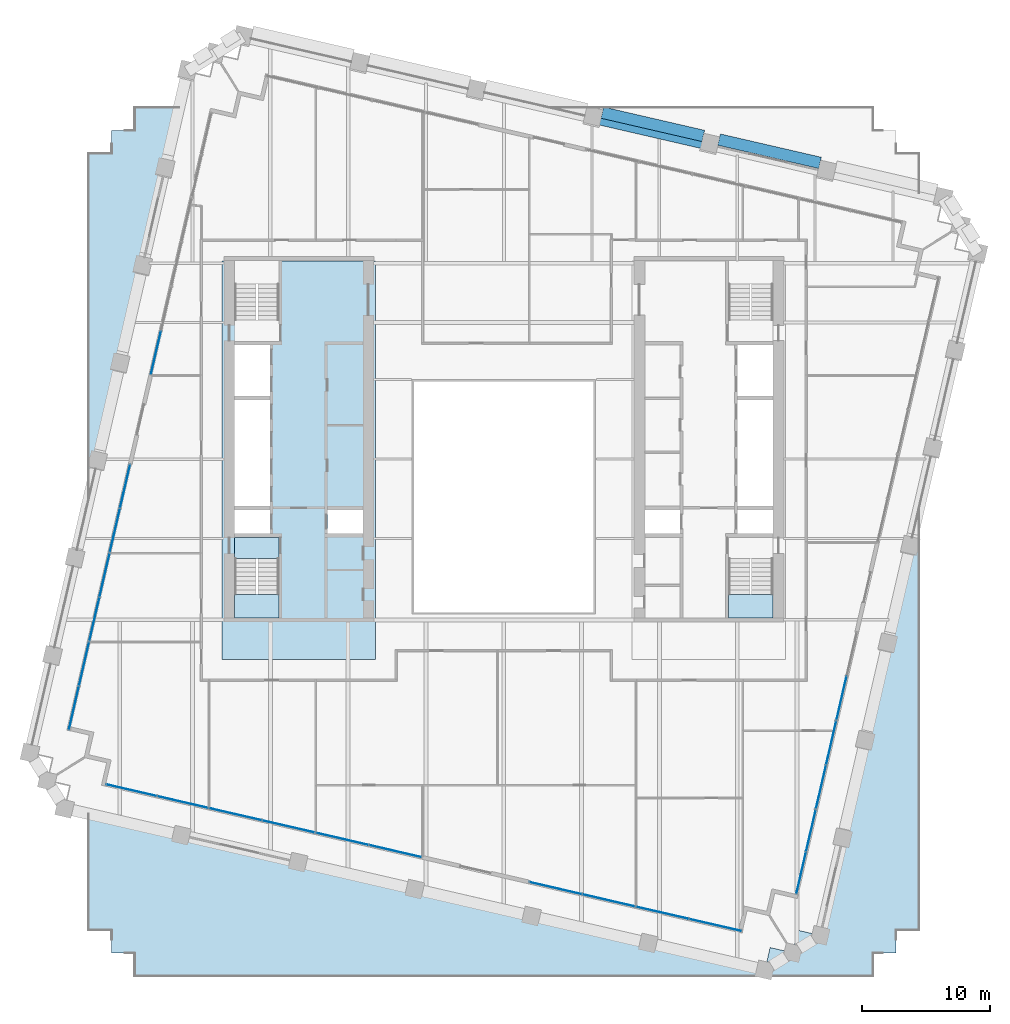
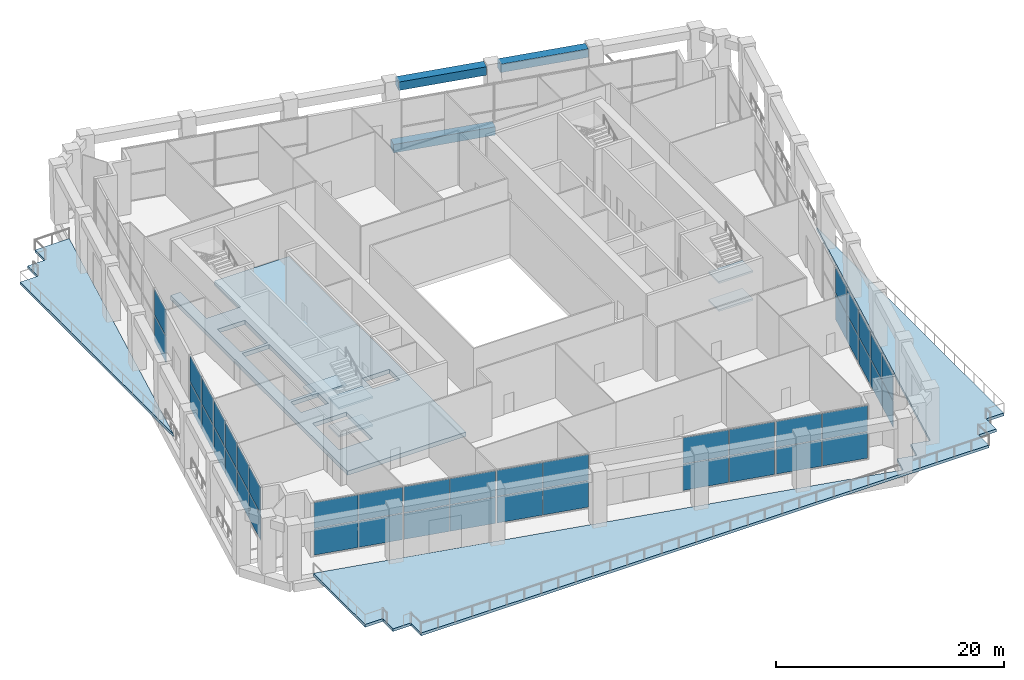
# One storey, part 12 of 23: 44 plates, 8 slabs, 3 beams, 14 elements without a shape of their own.
"""IFC4 building model written with IfcOpenShell, lengths in metres."""

import ifcopenshell
import ifcopenshell.guid

model = None  # the IFC model being written
_history = None  # IfcOwnerHistory: only IFC2X3 demands one
_inside = {}  # id of a spatial element -> (the spatial element, [elements in it])
_under = {}  # id of a project, library or spatial element -> (it, [spatial elements below it])
_declared = {}  # id of a project -> (the project, [libraries it declares])
_typed = {}  # id of a type object -> (the type object, [elements of that type])
_made_of = {}  # id of a material, layer set ... -> (it, [elements and type objects made of it])


def new_model(schema):
    """Start an empty IFC model of exactly this schema.

    Asked for "IFC4X3", IfcOpenShell would pick the latest addendum, in which some entities
    have other attributes; the version numbers below select the first issue.
    IFC2X3 requires an IfcOwnerHistory on every rooted entity: one is made here for all.
    """
    global model, _history
    if schema == "IFC4X3":
        model = ifcopenshell.file(schema_version=(4, 3, 0, 0))
    else:
        model = ifcopenshell.file(schema=schema)
    _inside.clear()
    _under.clear()
    _declared.clear()
    _typed.clear()
    _made_of.clear()
    _history = None
    if model.schema == "IFC2X3":
        org = make("IfcOrganization", Name="unknown")
        user = make(
            "IfcPersonAndOrganization",
            ThePerson=make("IfcPerson", FamilyName="unknown"),
            TheOrganization=org,
        )
        app = make(
            "IfcApplication",
            ApplicationDeveloper=org,
            Version="unknown",
            ApplicationFullName="unknown",
            ApplicationIdentifier="unknown",
        )
        _history = make(
            "IfcOwnerHistory",
            OwningUser=user,
            OwningApplication=app,
            ChangeAction="ADDED",
            CreationDate=0,
        )
    return model


def make(cls, **values):
    """One entity of the class cls with the attributes given. An attribute that is None is left unset."""
    return model.create_entity(
        cls, **{name: value for name, value in values.items() if value is not None}
    )


def rooted(cls, **values):
    """An entity with a GlobalId (a new one), such as an element, a storey or a relation."""
    return make(cls, GlobalId=ifcopenshell.guid.new(), OwnerHistory=_history, **values)


def si_unit(unit_type, name, prefix=None):
    """IfcSIUnit, for example si_unit("LENGTHUNIT", "METRE", prefix="MILLI")."""
    return make("IfcSIUnit", UnitType=unit_type, Prefix=prefix, Name=name)


def assignment(units):
    """IfcUnitAssignment: the units of a project."""
    return None if units is None else make("IfcUnitAssignment", Units=units)


def point(xyz):
    """IfcCartesianPoint."""
    return None if xyz is None else make("IfcCartesianPoint", Coordinates=xyz)


def direction(xyz):
    """IfcDirection."""
    return None if xyz is None else make("IfcDirection", DirectionRatios=xyz)


def frame(location, z_axis=None, x_axis=None):
    """IfcAxis2Placement3D, a coordinate frame: its origin and axes. An axis left out is left unset."""
    return make(
        "IfcAxis2Placement3D",
        Location=point(location),
        Axis=direction(z_axis),
        RefDirection=direction(x_axis),
    )


def frame_2d(location, x_axis=None):
    """IfcAxis2Placement2D, a coordinate frame in the plane: its origin and x axis."""
    return make(
        "IfcAxis2Placement2D", Location=point(location), RefDirection=direction(x_axis)
    )


def origin():
    """The frame at (0, 0, 0) with its axes left unset."""
    return frame((0.0, 0.0, 0.0))


def origin_2d():
    """The frame at (0, 0) in the plane with its x axis left unset."""
    return frame_2d((0.0, 0.0))


def place(relative_to, where):
    """IfcLocalPlacement: puts the frame where relative to a parent placement (None: the world)."""
    return make(
        "IfcLocalPlacement", PlacementRelTo=relative_to, RelativePlacement=where
    )


def context(
    kind, dimensions, precision=None, world=None, true_north=None, identifier=None
):
    """IfcGeometricRepresentationContext, for example the 3D "Model" context."""
    return make(
        "IfcGeometricRepresentationContext",
        ContextIdentifier=identifier,
        ContextType=kind,
        CoordinateSpaceDimension=dimensions,
        Precision=precision,
        WorldCoordinateSystem=world,
        TrueNorth=true_north,
    )


def subcontext(parent, identifier, kind, view, scale=None):
    """IfcGeometricRepresentationSubContext, for example "Body" below "Model"."""
    return make(
        "IfcGeometricRepresentationSubContext",
        ContextIdentifier=identifier,
        ContextType=kind,
        ParentContext=parent,
        TargetScale=scale,
        TargetView=view,
    )


def project(units=None, contexts=None):
    """IfcProject with its units and contexts."""
    return rooted(
        "IfcProject",
        Name="project",
        RepresentationContexts=contexts,
        UnitsInContext=assignment(units),
    )


def spatial(cls, under=None, at=None, **own):
    """A site, building, storey or space (cls), placed at a placement, below another one or the project."""
    s = rooted(cls, ObjectPlacement=at, **own)
    if under is not None:
        _under.setdefault(under.id(), (under, []))[1].append(s)
    return s


def polyline(points):
    """IfcPolyline through the points."""
    return make("IfcPolyline", Points=[point(p) for p in points])


def profile(cls, at=None, kind="AREA", **sizes):
    """A parametric profile (cls). Its sizes go by their IFC names, for example OverallWidth=200.0."""
    return make(cls, ProfileType=kind, Position=at, **sizes)


def rectangle(**sizes):
    """IfcRectangleProfileDef."""
    return profile("IfcRectangleProfileDef", **sizes)


def outline(outer, holes=None, kind="AREA"):
    """IfcArbitraryClosedProfileDef: a profile drawn as a closed curve; with holes, ...WithVoids."""
    if holes is None:
        return make("IfcArbitraryClosedProfileDef", ProfileType=kind, OuterCurve=outer)
    return make(
        "IfcArbitraryProfileDefWithVoids",
        ProfileType=kind,
        OuterCurve=outer,
        InnerCurves=holes,
    )


def extrude(swept, where, along, depth):
    """IfcExtrudedAreaSolid: the profile swept, set in the frame where, extruded along a direction by depth."""
    return make(
        "IfcExtrudedAreaSolid",
        SweptArea=swept,
        Position=where,
        ExtrudedDirection=direction(along),
        Depth=depth,
    )


def shape(context_of_items, identifier, shape_type, items):
    """IfcShapeRepresentation: the items that make up one representation, for example the "Body"."""
    return make(
        "IfcShapeRepresentation",
        ContextOfItems=context_of_items,
        RepresentationIdentifier=identifier,
        RepresentationType=shape_type,
        Items=items,
    )


def material(Name=None, Category=None):
    """IfcMaterial."""
    return make("IfcMaterial", Name=Name, Category=Category)


def layer(
    of_material, thickness, ventilated=None, Name=None, Category=None, Priority=None
):
    """IfcMaterialLayer: one layer of a wall or slab, of a material (None: an air gap)."""
    return make(
        "IfcMaterialLayer",
        Material=of_material,
        LayerThickness=thickness,
        IsVentilated=ventilated,
        Name=Name,
        Category=Category,
        Priority=Priority,
    )


def layer_set(layers, Name=None):
    """IfcMaterialLayerSet."""
    return make("IfcMaterialLayerSet", MaterialLayers=layers, LayerSetName=Name)


def material_profile(
    of_material, cross_section, Name=None, Category=None, Priority=None
):
    """IfcMaterialProfile: a cross section and its material."""
    return make(
        "IfcMaterialProfile",
        Name=Name,
        Material=of_material,
        Profile=cross_section,
        Priority=Priority,
        Category=Category,
    )


def profile_set(profiles, Name=None, composite=None):
    """IfcMaterialProfileSet."""
    return make(
        "IfcMaterialProfileSet",
        Name=Name,
        MaterialProfiles=profiles,
        CompositeProfile=composite,
    )


def made_of(thing, what):
    """Note that an element or type object is made of a material, layer set ...; save() writes the relation."""
    if what is not None:
        _made_of.setdefault(what.id(), (what, []))[1].append(thing)
    return thing


def type_object(cls, material=None, **own):
    """A type object (cls), such as IfcWallType, which elements share."""
    return made_of(rooted(cls, **own), material)


def element(
    cls,
    number,
    at=None,
    inside=None,
    cuts=None,
    type_object=None,
    material=None,
    context=None,
    identifier="Body",
    shape_type=None,
    held_by="IfcProductDefinitionShape",
    body=None,
    shapes=None,
    **own,
):
    """One element of the class cls, such as IfcWall. Its Tag is "e" and its number.

    at: its placement. inside: the storey or other place that contains it. cuts: it is an
    opening in that element (IfcRelVoidsElement). A single representation is given by context,
    identifier, shape_type and body (its items); several are given by shapes. held_by: the class
    of the entity that holds the representations. save() writes the other relations.
    """
    e = rooted(cls, Tag="e%d" % number, ObjectPlacement=at, **own)
    if body is not None:
        shapes = [shape(context, identifier, shape_type, body)]
    if shapes is not None:
        e.Representation = make(held_by, Representations=shapes)
    if inside is not None:
        _inside.setdefault(inside.id(), (inside, []))[1].append(e)
    if cuts is not None:
        rooted(
            "IfcRelVoidsElement", RelatingBuildingElement=cuts, RelatedOpeningElement=e
        )
    if type_object is not None:
        _typed.setdefault(type_object.id(), (type_object, []))[1].append(e)
    return made_of(e, material)


def aggregate(whole, parts):
    """IfcRelAggregates: a whole, such as a stair, and the parts it consists of."""
    return rooted("IfcRelAggregates", RelatingObject=whole, RelatedObjects=parts)


def save(model, path):
    """Write the relations noted so far, then the file.

    IfcRelAggregates (storeys below a building ...), IfcRelContainedInSpatialStructure (elements
    in a storey), IfcRelDefinesByType, IfcRelAssociatesMaterial and IfcRelDeclares: one each for
    every whole, place, type object, material and project.
    """
    for whole, parts in _under.values():
        aggregate(whole, parts)
    for where, things in _inside.values():
        rooted(
            "IfcRelContainedInSpatialStructure",
            RelatedElements=things,
            RelatingStructure=where,
        )
    for kind, things in _typed.values():
        rooted("IfcRelDefinesByType", RelatedObjects=things, RelatingType=kind)
    for what, things in _made_of.values():
        rooted("IfcRelAssociatesMaterial", RelatedObjects=things, RelatingMaterial=what)
    for by, libraries in _declared.values():
        rooted("IfcRelDeclares", RelatingContext=by, RelatedDefinitions=libraries)
    model.write(path)


model = new_model("IFC4")

# Units and contexts
model_context = context("Model", 3, precision=1e-05, world=origin(), true_north=direction((0.0, 1.0)))
body_context = subcontext(model_context, "Body", "Model", "MODEL_VIEW")
ifc_project = project(units=[si_unit("LENGTHUNIT", "METRE"), si_unit("AREAUNIT", "SQUARE_METRE"), si_unit("VOLUMEUNIT", "CUBIC_METRE"), si_unit("PLANEANGLEUNIT", "RADIAN"), si_unit("MASSUNIT", "GRAM", prefix="KILO")], contexts=[model_context])

# Site, building, storey
site_placement = place(None, origin())
site = spatial("IfcSite", under=ifc_project, at=site_placement, CompositionType="ELEMENT")
building_placement = place(site_placement, origin())
building = spatial("IfcBuilding", under=site, at=building_placement, Name="Ogive Exchange Tower", CompositionType="ELEMENT")
storey_placement = place(building_placement, frame((0.0, 0.0, 99.60009765625)))
storey = spatial("IfcBuildingStorey", under=building, at=storey_placement, Name="L21", CompositionType="ELEMENT", Elevation=99.60009765625)

# Beams
ifc_material_1 = material(Name="Precast concrete C70/85 (limestone faced)", Category="masonry")
ifc_material_profile_1 = material_profile(ifc_material_1, rectangle(XDim=0.89990234375, YDim=0.89990234375, at=origin_2d()), Name="900 x 900")
ifc_profile_set_1 = profile_set([ifc_material_profile_1], Name="Precast concrete C70/85 (limestone faced)")
beam_type_1 = type_object("IfcBeamType", Name="Precast spandrel 900 x 900 C70/85", PredefinedType="SPANDREL", material=ifc_profile_set_1)
for number, where, z_axis, x_axis, name in (
    (1, (24.6806640625, 33.07470703125, 5.2998046875), (-0.974371864918, 0.224943256972, 0.0), (-0.224943256972, -0.974371864918, 0.0), "Spandrel 19"),
    (2, (15.5703125, 35.177978515625, 5.2998046875), (-0.974371864918, 0.224943256972, 0.0), (-0.224943256972, -0.974371864918, 0.0), "Spandrel 20"),
):
    element("IfcBeam", number, at=place(storey_placement, frame(where, z_axis=z_axis, x_axis=x_axis)), inside=storey, type_object=beam_type_1, Name=name, PredefinedType="SPANDREL", context=body_context, shape_type="SweptSolid", body=[
        extrude(rectangle(XDim=0.89990234375, YDim=0.89990234375, at=origin_2d()), origin(), (0.0, 0.0, 1.0), 8.090087890625),
    ])
ifc_material_profile_2 = material_profile(ifc_material_1, rectangle(XDim=0.89990234375, YDim=0.89990234375, at=origin_2d()), Name="900 x 900")
ifc_profile_set_2 = profile_set([ifc_material_profile_2], Name="Precast concrete C70/85 (limestone faced)")
beam_type_2 = type_object("IfcBeamType", Name="Precast transfer girder 900 x 900 C70/85", PredefinedType="BEAM", material=ifc_profile_set_2)
beam_placement = place(storey_placement, frame((16.061279296875, 34.504638671875, -0.900146484375), z_axis=(-0.974370507876, 0.224949135099, 0.0), x_axis=(-0.224949135099, -0.974370507876, 0.0)))
element("IfcBeam", 3, at=beam_placement, inside=storey, type_object=beam_type_2, Name="Transfer girder 20", PredefinedType="BEAM", context=body_context, shape_type="SweptSolid", body=[
    extrude(rectangle(XDim=0.89990234375, YDim=0.89990234375, at=origin_2d()), origin(), (0.0, 0.0, 1.0), 9.35009765625),
])

# Curtain wall, plates
ifc_material_2 = material(Name="Anodised aluminium and clear glass", Category="aluminium")
curtain_wall_type = type_object("IfcCurtainWallType", Name="Sky lobby glazing", PredefinedType="NOTDEFINED", material=ifc_material_2)
curtain_wall_1_placement = place(storey_placement, origin())
curtain_wall_1 = element("IfcCurtainWall", 4, at=curtain_wall_1_placement, inside=storey, type_object=curtain_wall_type, Name="Sky lobby glazing run G1", PredefinedType="NOTDEFINED")
ifc_material_3 = material(Name="Clear glass", Category="glass")
ifc_layer_1 = layer(ifc_material_3, 0.031982421875)
ifc_layer_set_1 = layer_set([ifc_layer_1], Name="Clear low-emissivity glass panel 32")
plate_type = type_object("IfcPlateType", Name="Clear low-emissivity glass panel 32", PredefinedType="CURTAIN_PANEL", material=ifc_layer_set_1)
plate_1_placement = place(storey_placement, frame((-29.051025390625, -15.888671875, 0.06982421875), z_axis=(0.0, 0.0, 1.0), x_axis=(0.974370966882, -0.224947146898, 0.0)))
plate_1 = element("IfcPlate", 5, at=plate_1_placement, type_object=plate_type, Name="G1 panel 1.1", PredefinedType="CURTAIN_PANEL", context=body_context, shape_type="SweptSolid", body=[
    extrude(rectangle(XDim=4.02001953125, YDim=0.031982421875, at=origin_2d()), origin(), (0.0, 0.0, 1.0), 2.794921875),
])
plate_2_placement = place(storey_placement, frame((-29.051025390625, -15.888671875, 2.93505859375), z_axis=(0.0, 0.0, 1.0), x_axis=(0.974370966882, -0.224947146898, 0.0)))
plate_2 = element("IfcPlate", 6, at=plate_2_placement, type_object=plate_type, Name="G1 panel 1.2", PredefinedType="CURTAIN_PANEL", context=body_context, shape_type="SweptSolid", body=[
    extrude(rectangle(XDim=4.02001953125, YDim=0.031982421875, at=origin_2d()), origin(), (0.0, 0.0, 1.0), 2.794921875),
])
plate_3_placement = place(storey_placement, frame((-25.065673828125, -16.808837890625, 0.06982421875), z_axis=(0.0, 0.0, 1.0), x_axis=(0.974370966882, -0.224947146898, 0.0)))
plate_3 = element("IfcPlate", 7, at=plate_3_placement, type_object=plate_type, Name="G1 panel 2.1", PredefinedType="CURTAIN_PANEL", context=body_context, shape_type="SweptSolid", body=[
    extrude(rectangle(XDim=4.02001953125, YDim=0.031982421875, at=origin_2d()), origin(), (0.0, 0.0, 1.0), 2.794921875),
])
plate_4_placement = place(storey_placement, frame((-25.065673828125, -16.808837890625, 2.93505859375), z_axis=(0.0, 0.0, 1.0), x_axis=(0.974370966882, -0.224947146898, 0.0)))
plate_4 = element("IfcPlate", 8, at=plate_4_placement, type_object=plate_type, Name="G1 panel 2.2", PredefinedType="CURTAIN_PANEL", context=body_context, shape_type="SweptSolid", body=[
    extrude(rectangle(XDim=4.02001953125, YDim=0.031982421875, at=origin_2d()), origin(), (0.0, 0.0, 1.0), 2.794921875),
])
aggregate(curtain_wall_1, [plate_1, plate_2, plate_3, plate_4])

curtain_wall_2_placement = place(storey_placement, origin())
curtain_wall_2 = element("IfcCurtainWall", 9, at=curtain_wall_2_placement, inside=storey, type_object=curtain_wall_type, Name="Sky lobby glazing run G2", PredefinedType="NOTDEFINED")
plate_5_placement = place(storey_placement, frame((-20.939208984375, -17.761474609375, 0.06982421875), z_axis=(0.0, 0.0, 1.0), x_axis=(0.974368521846, -0.224957737445, 0.0)))
plate_5 = element("IfcPlate", 10, at=plate_5_placement, type_object=plate_type, Name="G2 panel 1.1", PredefinedType="CURTAIN_PANEL", context=body_context, shape_type="SweptSolid", body=[
    extrude(rectangle(XDim=4.169921875, YDim=0.031982421875, at=origin_2d()), origin(), (0.0, 0.0, 1.0), 2.794921875),
])
plate_6_placement = place(storey_placement, frame((-20.939208984375, -17.761474609375, 2.93505859375), z_axis=(0.0, 0.0, 1.0), x_axis=(0.974368521846, -0.224957737445, 0.0)))
plate_6 = element("IfcPlate", 11, at=plate_6_placement, type_object=plate_type, Name="G2 panel 1.2", PredefinedType="CURTAIN_PANEL", context=body_context, shape_type="SweptSolid", body=[
    extrude(rectangle(XDim=4.169921875, YDim=0.031982421875, at=origin_2d()), origin(), (0.0, 0.0, 1.0), 2.794921875),
])
plate_7_placement = place(storey_placement, frame((-16.807861328125, -18.71533203125, 0.06982421875), z_axis=(0.0, 0.0, 1.0), x_axis=(0.974368521846, -0.224957737445, 0.0)))
plate_7 = element("IfcPlate", 12, at=plate_7_placement, type_object=plate_type, Name="G2 panel 2.1", PredefinedType="CURTAIN_PANEL", context=body_context, shape_type="SweptSolid", body=[
    extrude(rectangle(XDim=4.169921875, YDim=0.031982421875, at=origin_2d()), origin(), (0.0, 0.0, 1.0), 2.794921875),
])
plate_8_placement = place(storey_placement, frame((-16.807861328125, -18.71533203125, 2.93505859375), z_axis=(0.0, 0.0, 1.0), x_axis=(0.974368521846, -0.224957737445, 0.0)))
plate_8 = element("IfcPlate", 13, at=plate_8_placement, type_object=plate_type, Name="G2 panel 2.2", PredefinedType="CURTAIN_PANEL", context=body_context, shape_type="SweptSolid", body=[
    extrude(rectangle(XDim=4.169921875, YDim=0.031982421875, at=origin_2d()), origin(), (0.0, 0.0, 1.0), 2.794921875),
])
aggregate(curtain_wall_2, [plate_5, plate_6, plate_7, plate_8])

curtain_wall_3_placement = place(storey_placement, origin())
curtain_wall_3 = element("IfcCurtainWall", 14, at=curtain_wall_3_placement, inside=storey, type_object=curtain_wall_type, Name="Sky lobby glazing run G3", PredefinedType="NOTDEFINED")
plate_9_placement = place(storey_placement, frame((-12.6083984375, -19.684814453125, 0.06982421875), z_axis=(0.0, 0.0, 1.0), x_axis=(0.974370493588, -0.224949196986, 0.0)))
plate_9 = element("IfcPlate", 15, at=plate_9_placement, type_object=plate_type, Name="G3 panel 1.1", PredefinedType="CURTAIN_PANEL", context=body_context, shape_type="SweptSolid", body=[
    extrude(rectangle(XDim=4.169921875, YDim=0.031982421875, at=origin_2d()), origin(), (0.0, 0.0, 1.0), 2.794921875),
])
plate_10_placement = place(storey_placement, frame((-12.6083984375, -19.684814453125, 2.93505859375), z_axis=(0.0, 0.0, 1.0), x_axis=(0.974370493588, -0.224949196986, 0.0)))
plate_10 = element("IfcPlate", 16, at=plate_10_placement, type_object=plate_type, Name="G3 panel 1.2", PredefinedType="CURTAIN_PANEL", context=body_context, shape_type="SweptSolid", body=[
    extrude(rectangle(XDim=4.169921875, YDim=0.031982421875, at=origin_2d()), origin(), (0.0, 0.0, 1.0), 2.794921875),
])
plate_11_placement = place(storey_placement, frame((-8.47705078125, -20.638671875, 0.06982421875), z_axis=(0.0, 0.0, 1.0), x_axis=(0.974370493588, -0.224949196986, 0.0)))
plate_11 = element("IfcPlate", 17, at=plate_11_placement, type_object=plate_type, Name="G3 panel 2.1", PredefinedType="CURTAIN_PANEL", context=body_context, shape_type="SweptSolid", body=[
    extrude(rectangle(XDim=4.169921875, YDim=0.031982421875, at=origin_2d()), origin(), (0.0, 0.0, 1.0), 2.794921875),
])
plate_12_placement = place(storey_placement, frame((-8.47705078125, -20.638671875, 2.93505859375), z_axis=(0.0, 0.0, 1.0), x_axis=(0.974370493588, -0.224949196986, 0.0)))
plate_12 = element("IfcPlate", 18, at=plate_12_placement, type_object=plate_type, Name="G3 panel 2.2", PredefinedType="CURTAIN_PANEL", context=body_context, shape_type="SweptSolid", body=[
    extrude(rectangle(XDim=4.169921875, YDim=0.031982421875, at=origin_2d()), origin(), (0.0, 0.0, 1.0), 2.794921875),
])
aggregate(curtain_wall_3, [plate_9, plate_10, plate_11, plate_12])

curtain_wall_4_placement = place(storey_placement, origin())
curtain_wall_4 = element("IfcCurtainWall", 19, at=curtain_wall_4_placement, inside=storey, type_object=curtain_wall_type, Name="Sky lobby glazing run G5", PredefinedType="NOTDEFINED")
plate_13_placement = place(storey_placement, frame((4.05322265625, -23.531494140625, 0.06982421875), z_axis=(0.0, 0.0, 1.0), x_axis=(0.974368521846, -0.224957737445, 0.0)))
plate_13 = element("IfcPlate", 20, at=plate_13_placement, type_object=plate_type, Name="G5 panel 1.1", PredefinedType="CURTAIN_PANEL", context=body_context, shape_type="SweptSolid", body=[
    extrude(rectangle(XDim=4.169921875, YDim=0.031982421875, at=origin_2d()), origin(), (0.0, 0.0, 1.0), 2.794921875),
])
plate_14_placement = place(storey_placement, frame((4.05322265625, -23.531494140625, 2.93505859375), z_axis=(0.0, 0.0, 1.0), x_axis=(0.974368521846, -0.224957737445, 0.0)))
plate_14 = element("IfcPlate", 21, at=plate_14_placement, type_object=plate_type, Name="G5 panel 1.2", PredefinedType="CURTAIN_PANEL", context=body_context, shape_type="SweptSolid", body=[
    extrude(rectangle(XDim=4.169921875, YDim=0.031982421875, at=origin_2d()), origin(), (0.0, 0.0, 1.0), 2.794921875),
])
plate_15_placement = place(storey_placement, frame((8.1845703125, -24.4853515625, 0.06982421875), z_axis=(0.0, 0.0, 1.0), x_axis=(0.974368521846, -0.224957737445, 0.0)))
plate_15 = element("IfcPlate", 22, at=plate_15_placement, type_object=plate_type, Name="G5 panel 2.1", PredefinedType="CURTAIN_PANEL", context=body_context, shape_type="SweptSolid", body=[
    extrude(rectangle(XDim=4.169921875, YDim=0.031982421875, at=origin_2d()), origin(), (0.0, 0.0, 1.0), 2.794921875),
])
plate_16_placement = place(storey_placement, frame((8.1845703125, -24.4853515625, 2.93505859375), z_axis=(0.0, 0.0, 1.0), x_axis=(0.974368521846, -0.224957737445, 0.0)))
plate_16 = element("IfcPlate", 23, at=plate_16_placement, type_object=plate_type, Name="G5 panel 2.2", PredefinedType="CURTAIN_PANEL", context=body_context, shape_type="SweptSolid", body=[
    extrude(rectangle(XDim=4.169921875, YDim=0.031982421875, at=origin_2d()), origin(), (0.0, 0.0, 1.0), 2.794921875),
])
aggregate(curtain_wall_4, [plate_13, plate_14, plate_15, plate_16])

curtain_wall_5_placement = place(storey_placement, origin())
curtain_wall_5 = element("IfcCurtainWall", 24, at=curtain_wall_5_placement, inside=storey, type_object=curtain_wall_type, Name="Sky lobby glazing run G6", PredefinedType="NOTDEFINED")
plate_17_placement = place(storey_placement, frame((12.384033203125, -25.454833984375, 0.06982421875), z_axis=(0.0, 0.0, 1.0), x_axis=(0.974370493588, -0.224949196986, 0.0)))
plate_17 = element("IfcPlate", 25, at=plate_17_placement, type_object=plate_type, Name="G6 panel 1.1", PredefinedType="CURTAIN_PANEL", context=body_context, shape_type="SweptSolid", body=[
    extrude(rectangle(XDim=4.169921875, YDim=0.031982421875, at=origin_2d()), origin(), (0.0, 0.0, 1.0), 2.794921875),
])
plate_18_placement = place(storey_placement, frame((12.384033203125, -25.454833984375, 2.93505859375), z_axis=(0.0, 0.0, 1.0), x_axis=(0.974370493588, -0.224949196986, 0.0)))
plate_18 = element("IfcPlate", 26, at=plate_18_placement, type_object=plate_type, Name="G6 panel 1.2", PredefinedType="CURTAIN_PANEL", context=body_context, shape_type="SweptSolid", body=[
    extrude(rectangle(XDim=4.169921875, YDim=0.031982421875, at=origin_2d()), origin(), (0.0, 0.0, 1.0), 2.794921875),
])
plate_19_placement = place(storey_placement, frame((16.515380859375, -26.40869140625, 0.06982421875), z_axis=(0.0, 0.0, 1.0), x_axis=(0.974370493588, -0.224949196986, 0.0)))
plate_19 = element("IfcPlate", 27, at=plate_19_placement, type_object=plate_type, Name="G6 panel 2.1", PredefinedType="CURTAIN_PANEL", context=body_context, shape_type="SweptSolid", body=[
    extrude(rectangle(XDim=4.169921875, YDim=0.031982421875, at=origin_2d()), origin(), (0.0, 0.0, 1.0), 2.794921875),
])
plate_20_placement = place(storey_placement, frame((16.515380859375, -26.40869140625, 2.93505859375), z_axis=(0.0, 0.0, 1.0), x_axis=(0.974370493588, -0.224949196986, 0.0)))
plate_20 = element("IfcPlate", 28, at=plate_20_placement, type_object=plate_type, Name="G6 panel 2.2", PredefinedType="CURTAIN_PANEL", context=body_context, shape_type="SweptSolid", body=[
    extrude(rectangle(XDim=4.169921875, YDim=0.031982421875, at=origin_2d()), origin(), (0.0, 0.0, 1.0), 2.794921875),
])
aggregate(curtain_wall_5, [plate_17, plate_18, plate_19, plate_20])

curtain_wall_6_placement = place(storey_placement, origin())
curtain_wall_6 = element("IfcCurtainWall", 29, at=curtain_wall_6_placement, inside=storey, type_object=curtain_wall_type, Name="Sky lobby glazing run G7", PredefinedType="NOTDEFINED")
plate_21_placement = place(storey_placement, frame((23.20751953125, -22.338623046875, 0.06982421875), z_axis=(0.0, 0.0, 1.0), x_axis=(0.224951677306, 0.974369920963, 0.0)))
plate_21 = element("IfcPlate", 30, at=plate_21_placement, type_object=plate_type, Name="G7 panel 1.1", PredefinedType="CURTAIN_PANEL", context=body_context, shape_type="SweptSolid", body=[
    extrude(rectangle(XDim=3.30224609375, YDim=0.031982421875, at=origin_2d()), origin(), (0.0, 0.0, 1.0), 2.794921875),
])
plate_22_placement = place(storey_placement, frame((23.20751953125, -22.338623046875, 2.93505859375), z_axis=(0.0, 0.0, 1.0), x_axis=(0.224951677306, 0.974369920963, 0.0)))
plate_22 = element("IfcPlate", 31, at=plate_22_placement, type_object=plate_type, Name="G7 panel 1.2", PredefinedType="CURTAIN_PANEL", context=body_context, shape_type="SweptSolid", body=[
    extrude(rectangle(XDim=3.30224609375, YDim=0.031982421875, at=origin_2d()), origin(), (0.0, 0.0, 1.0), 2.794921875),
])
plate_23_placement = place(storey_placement, frame((23.966064453125, -19.052978515625, 0.06982421875), z_axis=(0.0, 0.0, 1.0), x_axis=(0.224951677306, 0.974369920963, 0.0)))
plate_23 = element("IfcPlate", 32, at=plate_23_placement, type_object=plate_type, Name="G7 panel 2.1", PredefinedType="CURTAIN_PANEL", context=body_context, shape_type="SweptSolid", body=[
    extrude(rectangle(XDim=3.30224609375, YDim=0.031982421875, at=origin_2d()), origin(), (0.0, 0.0, 1.0), 2.794921875),
])
plate_24_placement = place(storey_placement, frame((23.966064453125, -19.052978515625, 2.93505859375), z_axis=(0.0, 0.0, 1.0), x_axis=(0.224951677306, 0.974369920963, 0.0)))
plate_24 = element("IfcPlate", 33, at=plate_24_placement, type_object=plate_type, Name="G7 panel 2.2", PredefinedType="CURTAIN_PANEL", context=body_context, shape_type="SweptSolid", body=[
    extrude(rectangle(XDim=3.30224609375, YDim=0.031982421875, at=origin_2d()), origin(), (0.0, 0.0, 1.0), 2.794921875),
])
aggregate(curtain_wall_6, [plate_21, plate_22, plate_23, plate_24])

curtain_wall_7_placement = place(storey_placement, origin())
curtain_wall_7 = element("IfcCurtainWall", 34, at=curtain_wall_7_placement, inside=storey, type_object=curtain_wall_type, Name="Sky lobby glazing run G8", PredefinedType="NOTDEFINED")
plate_25_placement = place(storey_placement, frame((24.75732421875, -15.6259765625, 0.06982421875), z_axis=(0.0, 0.0, 1.0), x_axis=(0.224943685993, 0.974371765874, 0.0)))
plate_25 = element("IfcPlate", 35, at=plate_25_placement, type_object=plate_type, Name="G8 panel 1.1", PredefinedType="CURTAIN_PANEL", context=body_context, shape_type="SweptSolid", body=[
    extrude(rectangle(XDim=3.4521484375, YDim=0.031982421875, at=origin_2d()), origin(), (0.0, 0.0, 1.0), 2.794921875),
])
plate_26_placement = place(storey_placement, frame((24.75732421875, -15.6259765625, 2.93505859375), z_axis=(0.0, 0.0, 1.0), x_axis=(0.224943685993, 0.974371765874, 0.0)))
plate_26 = element("IfcPlate", 36, at=plate_26_placement, type_object=plate_type, Name="G8 panel 1.2", PredefinedType="CURTAIN_PANEL", context=body_context, shape_type="SweptSolid", body=[
    extrude(rectangle(XDim=3.4521484375, YDim=0.031982421875, at=origin_2d()), origin(), (0.0, 0.0, 1.0), 2.794921875),
])
plate_27_placement = place(storey_placement, frame((25.549560546875, -12.194091796875, 0.06982421875), z_axis=(0.0, 0.0, 1.0), x_axis=(0.224943685993, 0.974371765874, 0.0)))
plate_27 = element("IfcPlate", 37, at=plate_27_placement, type_object=plate_type, Name="G8 panel 2.1", PredefinedType="CURTAIN_PANEL", context=body_context, shape_type="SweptSolid", body=[
    extrude(rectangle(XDim=3.4521484375, YDim=0.031982421875, at=origin_2d()), origin(), (0.0, 0.0, 1.0), 2.794921875),
])
plate_28_placement = place(storey_placement, frame((25.549560546875, -12.194091796875, 2.93505859375), z_axis=(0.0, 0.0, 1.0), x_axis=(0.224943685993, 0.974371765874, 0.0)))
plate_28 = element("IfcPlate", 38, at=plate_28_placement, type_object=plate_type, Name="G8 panel 2.2", PredefinedType="CURTAIN_PANEL", context=body_context, shape_type="SweptSolid", body=[
    extrude(rectangle(XDim=3.4521484375, YDim=0.031982421875, at=origin_2d()), origin(), (0.0, 0.0, 1.0), 2.794921875),
])
aggregate(curtain_wall_7, [plate_25, plate_26, plate_27, plate_28])

curtain_wall_8_placement = place(storey_placement, origin())
curtain_wall_8 = element("IfcCurtainWall", 39, at=curtain_wall_8_placement, inside=storey, type_object=curtain_wall_type, Name="Sky lobby glazing run G9", PredefinedType="NOTDEFINED")
plate_29_placement = place(storey_placement, frame((26.357666015625, -8.69384765625, 0.06982421875), z_axis=(0.0, 0.0, 1.0), x_axis=(0.224953950051, 0.974369396254, 0.0)))
plate_29 = element("IfcPlate", 40, at=plate_29_placement, type_object=plate_type, Name="G9 panel 1.1", PredefinedType="CURTAIN_PANEL", context=body_context, shape_type="SweptSolid", body=[
    extrude(rectangle(XDim=3.4521484375, YDim=0.031982421875, at=origin_2d()), origin(), (0.0, 0.0, 1.0), 2.794921875),
])
plate_30_placement = place(storey_placement, frame((26.357666015625, -8.69384765625, 2.93505859375), z_axis=(0.0, 0.0, 1.0), x_axis=(0.224953950051, 0.974369396254, 0.0)))
plate_30 = element("IfcPlate", 41, at=plate_30_placement, type_object=plate_type, Name="G9 panel 1.2", PredefinedType="CURTAIN_PANEL", context=body_context, shape_type="SweptSolid", body=[
    extrude(rectangle(XDim=3.4521484375, YDim=0.031982421875, at=origin_2d()), origin(), (0.0, 0.0, 1.0), 2.794921875),
])
aggregate(curtain_wall_8, [plate_29, plate_30])

curtain_wall_9_placement = place(storey_placement, origin())
curtain_wall_9 = element("IfcCurtainWall", 42, at=curtain_wall_9_placement, inside=storey, type_object=curtain_wall_type, Name="Sky lobby glazing run G22", PredefinedType="NOTDEFINED")
plate_31_placement = place(storey_placement, frame((-27.14990234375, 18.261962890625, 0.06982421875), z_axis=(0.0, 0.0, 1.0), x_axis=(-0.224953950051, -0.974369396254, 0.0)))
plate_31 = element("IfcPlate", 43, at=plate_31_placement, type_object=plate_type, Name="G22 panel 2.1", PredefinedType="CURTAIN_PANEL", context=body_context, shape_type="SweptSolid", body=[
    extrude(rectangle(XDim=3.4521484375, YDim=0.031982421875, at=origin_2d()), origin(), (0.0, 0.0, 1.0), 2.794921875),
])
plate_32_placement = place(storey_placement, frame((-27.14990234375, 18.261962890625, 2.93505859375), z_axis=(0.0, 0.0, 1.0), x_axis=(-0.224953950051, -0.974369396254, 0.0)))
plate_32 = element("IfcPlate", 44, at=plate_32_placement, type_object=plate_type, Name="G22 panel 2.2", PredefinedType="CURTAIN_PANEL", context=body_context, shape_type="SweptSolid", body=[
    extrude(rectangle(XDim=3.4521484375, YDim=0.031982421875, at=origin_2d()), origin(), (0.0, 0.0, 1.0), 2.794921875),
])
aggregate(curtain_wall_9, [plate_31, plate_32])

curtain_wall_10_placement = place(storey_placement, origin())
curtain_wall_10 = element("IfcCurtainWall", 45, at=curtain_wall_10_placement, inside=storey, type_object=curtain_wall_type, Name="Sky lobby glazing run G24", PredefinedType="NOTDEFINED")
plate_33_placement = place(storey_placement, frame((-29.558349609375, 7.830078125, 0.06982421875), z_axis=(0.0, 0.0, 1.0), x_axis=(-0.224943685993, -0.974371765874, 0.0)))
plate_33 = element("IfcPlate", 46, at=plate_33_placement, type_object=plate_type, Name="G24 panel 1.1", PredefinedType="CURTAIN_PANEL", context=body_context, shape_type="SweptSolid", body=[
    extrude(rectangle(XDim=3.4521484375, YDim=0.031982421875, at=origin_2d()), origin(), (0.0, 0.0, 1.0), 2.794921875),
])
plate_34_placement = place(storey_placement, frame((-29.558349609375, 7.830078125, 2.93505859375), z_axis=(0.0, 0.0, 1.0), x_axis=(-0.224943685993, -0.974371765874, 0.0)))
plate_34 = element("IfcPlate", 47, at=plate_34_placement, type_object=plate_type, Name="G24 panel 1.2", PredefinedType="CURTAIN_PANEL", context=body_context, shape_type="SweptSolid", body=[
    extrude(rectangle(XDim=3.4521484375, YDim=0.031982421875, at=origin_2d()), origin(), (0.0, 0.0, 1.0), 2.794921875),
])
plate_35_placement = place(storey_placement, frame((-30.3505859375, 4.398193359375, 0.06982421875), z_axis=(0.0, 0.0, 1.0), x_axis=(-0.224943685993, -0.974371765874, 0.0)))
plate_35 = element("IfcPlate", 48, at=plate_35_placement, type_object=plate_type, Name="G24 panel 2.1", PredefinedType="CURTAIN_PANEL", context=body_context, shape_type="SweptSolid", body=[
    extrude(rectangle(XDim=3.4521484375, YDim=0.031982421875, at=origin_2d()), origin(), (0.0, 0.0, 1.0), 2.794921875),
])
plate_36_placement = place(storey_placement, frame((-30.3505859375, 4.398193359375, 2.93505859375), z_axis=(0.0, 0.0, 1.0), x_axis=(-0.224943685993, -0.974371765874, 0.0)))
plate_36 = element("IfcPlate", 49, at=plate_36_placement, type_object=plate_type, Name="G24 panel 2.2", PredefinedType="CURTAIN_PANEL", context=body_context, shape_type="SweptSolid", body=[
    extrude(rectangle(XDim=3.4521484375, YDim=0.031982421875, at=origin_2d()), origin(), (0.0, 0.0, 1.0), 2.794921875),
])
aggregate(curtain_wall_10, [plate_33, plate_34, plate_35, plate_36])

curtain_wall_11_placement = place(storey_placement, origin())
curtain_wall_11 = element("IfcCurtainWall", 50, at=curtain_wall_11_placement, inside=storey, type_object=curtain_wall_type, Name="Sky lobby glazing run G25", PredefinedType="NOTDEFINED")
plate_37_placement = place(storey_placement, frame((-31.15869140625, 0.898193359375, 0.06982421875), z_axis=(0.0, 0.0, 1.0), x_axis=(-0.224953950051, -0.974369396254, 0.0)))
plate_37 = element("IfcPlate", 51, at=plate_37_placement, type_object=plate_type, Name="G25 panel 1.1", PredefinedType="CURTAIN_PANEL", context=body_context, shape_type="SweptSolid", body=[
    extrude(rectangle(XDim=3.4521484375, YDim=0.031982421875, at=origin_2d()), origin(), (0.0, 0.0, 1.0), 2.794921875),
])
plate_38_placement = place(storey_placement, frame((-31.15869140625, 0.898193359375, 2.93505859375), z_axis=(0.0, 0.0, 1.0), x_axis=(-0.224953950051, -0.974369396254, 0.0)))
plate_38 = element("IfcPlate", 52, at=plate_38_placement, type_object=plate_type, Name="G25 panel 1.2", PredefinedType="CURTAIN_PANEL", context=body_context, shape_type="SweptSolid", body=[
    extrude(rectangle(XDim=3.4521484375, YDim=0.031982421875, at=origin_2d()), origin(), (0.0, 0.0, 1.0), 2.794921875),
])
plate_39_placement = place(storey_placement, frame((-31.951171875, -2.53369140625, 0.06982421875), z_axis=(0.0, 0.0, 1.0), x_axis=(-0.224953950051, -0.974369396254, 0.0)))
plate_39 = element("IfcPlate", 53, at=plate_39_placement, type_object=plate_type, Name="G25 panel 2.1", PredefinedType="CURTAIN_PANEL", context=body_context, shape_type="SweptSolid", body=[
    extrude(rectangle(XDim=3.4521484375, YDim=0.031982421875, at=origin_2d()), origin(), (0.0, 0.0, 1.0), 2.794921875),
])
plate_40_placement = place(storey_placement, frame((-31.951171875, -2.53369140625, 2.93505859375), z_axis=(0.0, 0.0, 1.0), x_axis=(-0.224953950051, -0.974369396254, 0.0)))
plate_40 = element("IfcPlate", 54, at=plate_40_placement, type_object=plate_type, Name="G25 panel 2.2", PredefinedType="CURTAIN_PANEL", context=body_context, shape_type="SweptSolid", body=[
    extrude(rectangle(XDim=3.4521484375, YDim=0.031982421875, at=origin_2d()), origin(), (0.0, 0.0, 1.0), 2.794921875),
])
aggregate(curtain_wall_11, [plate_37, plate_38, plate_39, plate_40])

curtain_wall_12_placement = place(storey_placement, origin())
curtain_wall_12 = element("IfcCurtainWall", 55, at=curtain_wall_12_placement, inside=storey, type_object=curtain_wall_type, Name="Sky lobby glazing run G26", PredefinedType="NOTDEFINED")
plate_41_placement = place(storey_placement, frame((-32.759033203125, -6.033935546875, 0.06982421875), z_axis=(0.0, 0.0, 1.0), x_axis=(-0.224957031035, -0.974368684938, 0.0)))
plate_41 = element("IfcPlate", 56, at=plate_41_placement, type_object=plate_type, Name="G26 panel 1.1", PredefinedType="CURTAIN_PANEL", context=body_context, shape_type="SweptSolid", body=[
    extrude(rectangle(XDim=3.4521484375, YDim=0.031982421875, at=origin_2d()), origin(), (0.0, 0.0, 1.0), 2.794921875),
])
plate_42_placement = place(storey_placement, frame((-32.759033203125, -6.033935546875, 2.93505859375), z_axis=(0.0, 0.0, 1.0), x_axis=(-0.224957031035, -0.974368684938, 0.0)))
plate_42 = element("IfcPlate", 57, at=plate_42_placement, type_object=plate_type, Name="G26 panel 1.2", PredefinedType="CURTAIN_PANEL", context=body_context, shape_type="SweptSolid", body=[
    extrude(rectangle(XDim=3.4521484375, YDim=0.031982421875, at=origin_2d()), origin(), (0.0, 0.0, 1.0), 2.794921875),
])
plate_43_placement = place(storey_placement, frame((-33.551513671875, -9.465576171875, 0.06982421875), z_axis=(0.0, 0.0, 1.0), x_axis=(-0.224957031035, -0.974368684938, 0.0)))
plate_43 = element("IfcPlate", 58, at=plate_43_placement, type_object=plate_type, Name="G26 panel 2.1", PredefinedType="CURTAIN_PANEL", context=body_context, shape_type="SweptSolid", body=[
    extrude(rectangle(XDim=3.4521484375, YDim=0.031982421875, at=origin_2d()), origin(), (0.0, 0.0, 1.0), 2.794921875),
])
plate_44_placement = place(storey_placement, frame((-33.551513671875, -9.465576171875, 2.93505859375), z_axis=(0.0, 0.0, 1.0), x_axis=(-0.224957031035, -0.974368684938, 0.0)))
plate_44 = element("IfcPlate", 59, at=plate_44_placement, type_object=plate_type, Name="G26 panel 2.2", PredefinedType="CURTAIN_PANEL", context=body_context, shape_type="SweptSolid", body=[
    extrude(rectangle(XDim=3.4521484375, YDim=0.031982421875, at=origin_2d()), origin(), (0.0, 0.0, 1.0), 2.794921875),
])
aggregate(curtain_wall_12, [plate_41, plate_42, plate_43, plate_44])

# Slab
ifc_material_4 = material(Name="Concrete C70/85", Category="concrete")
ifc_layer_2 = layer(ifc_material_4, 0.449951171875)
ifc_layer_set_2 = layer_set([ifc_layer_2], Name="Core floor slab 450")
slab_type_1 = type_object("IfcSlabType", Name="Core floor slab 450", PredefinedType="FLOOR", material=ifc_layer_set_2)
slab_1_placement = place(storey_placement, frame((0.0, 0.0, -0.4501953125)))
element("IfcSlab", 60, at=slab_1_placement, inside=storey, type_object=slab_type_1, Name="Core floor slab", PredefinedType="FLOOR", context=body_context, shape_type="SweptSolid", body=[
    extrude(outline(polyline([(-10.0, 25.39990234375), (-10.0, -5.699951171875), (-22.0, -5.699951171875), (-22.0, 25.39990234375), (-21.0, 25.39990234375), (-21.0, 20.803955078125), (-17.550048828125, 20.803955078125), (-17.550048828125, 25.39990234375), (-10.0, 25.39990234375)]), holes=[polyline([(-17.550048828125, 2.196044921875), (-21.0, 2.196044921875), (-21.0, -2.449951171875), (-17.550048828125, -2.449951171875), (-17.550048828125, 2.196044921875)]), polyline([(-18.25, 5.992919921875), (-21.0, 5.992919921875), (-21.0, 4.14990234375), (-18.25, 4.14990234375), (-18.25, 5.992919921875)]), polyline([(-11.0, 5.992919921875), (-13.75, 5.992919921875), (-13.75, 4.14990234375), (-11.0, 4.14990234375), (-11.0, 5.992919921875)]), polyline([(-21.0, 14.564208984375), (-21.0, 6.29296875), (-18.25, 6.29296875), (-18.25, 14.564208984375), (-21.0, 14.564208984375)]), polyline([(-18.25, 18.85009765625), (-21.0, 18.85009765625), (-21.0, 14.8642578125), (-18.25, 14.8642578125), (-18.25, 18.85009765625)])]), origin(), (0.0, 0.0, 1.0), 0.4501953125),
])

# Stair, slabs
ifc_material_5 = material(Name="Concrete C40/50", Category="concrete")
stair_type = type_object("IfcStairType", Name="Exit stair 1650 wide", PredefinedType="HALF_TURN_STAIR", material=ifc_material_5)
stair_1_placement = place(storey_placement, origin())
stair_1 = element("IfcStair", 61, at=stair_1_placement, inside=storey, type_object=stair_type, Name="L21 exit stair ST1", PredefinedType="HALF_TURN_STAIR")
ifc_layer_3 = layer(ifc_material_5, 0.199951171875)
ifc_layer_set_3 = layer_set([ifc_layer_3], Name="Stair landing 200 slab")
slab_type_2 = type_object("IfcSlabType", Name="Stair landing 200 slab", PredefinedType="LANDING", material=ifc_layer_set_3)
slab_2_placement = place(storey_placement, frame((0.0, 0.0, 1.2998046875)))
slab_2 = element("IfcSlab", 62, at=slab_2_placement, type_object=slab_type_2, Name="ST1 landing 1", PredefinedType="LANDING", context=body_context, shape_type="SweptSolid", body=[
    extrude(outline(polyline([(-21.0, -0.60791015625), (-21.0, -2.449951171875), (-17.550048828125, -2.449951171875), (-17.550048828125, -0.60791015625), (-21.0, -0.60791015625)])), origin(), (0.0, 0.0, 1.0), 0.2001953125),
])
slab_3_placement = place(storey_placement, frame((0.0, 0.0, 2.7998046875)))
slab_3 = element("IfcSlab", 63, at=slab_3_placement, type_object=slab_type_2, Name="ST1 landing 2", PredefinedType="LANDING", context=body_context, shape_type="SweptSolid", body=[
    extrude(outline(polyline([(-21.0, 3.85009765625), (-21.0, 2.199951171875), (-17.550048828125, 2.199951171875), (-17.550048828125, 3.85009765625), (-21.0, 3.85009765625)])), origin(), (0.0, 0.0, 1.0), 0.2001953125),
])
slab_4_placement = place(storey_placement, frame((0.0, 0.0, 4.2998046875)))
slab_4 = element("IfcSlab", 64, at=slab_4_placement, type_object=slab_type_2, Name="ST1 landing 3", PredefinedType="LANDING", context=body_context, shape_type="SweptSolid", body=[
    extrude(outline(polyline([(-21.0, -0.60791015625), (-21.0, -2.449951171875), (-17.550048828125, -2.449951171875), (-17.550048828125, -0.60791015625), (-21.0, -0.60791015625)])), origin(), (0.0, 0.0, 1.0), 0.2001953125),
])
aggregate(stair_1, [slab_2, slab_3, slab_4])

stair_2_placement = place(storey_placement, origin())
stair_2 = element("IfcStair", 65, at=stair_2_placement, inside=storey, type_object=stair_type, Name="L21 exit stair ST3", PredefinedType="HALF_TURN_STAIR")
slab_5_placement = place(storey_placement, frame((0.0, 0.0, 1.2998046875)))
slab_5 = element("IfcSlab", 66, at=slab_5_placement, type_object=slab_type_2, Name="ST3 landing 1", PredefinedType="LANDING", context=body_context, shape_type="SweptSolid", body=[
    extrude(outline(polyline([(17.550048828125, -0.60791015625), (17.550048828125, -2.449951171875), (21.0, -2.449951171875), (21.0, -0.60791015625), (17.550048828125, -0.60791015625)])), origin(), (0.0, 0.0, 1.0), 0.2001953125),
])
slab_6_placement = place(storey_placement, frame((0.0, 0.0, 4.2998046875)))
slab_6 = element("IfcSlab", 67, at=slab_6_placement, type_object=slab_type_2, Name="ST3 landing 3", PredefinedType="LANDING", context=body_context, shape_type="SweptSolid", body=[
    extrude(outline(polyline([(17.550048828125, -0.60791015625), (17.550048828125, -2.449951171875), (21.0, -2.449951171875), (21.0, -0.60791015625), (17.550048828125, -0.60791015625)])), origin(), (0.0, 0.0, 1.0), 0.2001953125),
])
aggregate(stair_2, [slab_5, slab_6])

# Slabs
ifc_material_6 = material(Name="Concrete C50/60", Category="concrete")
ifc_layer_4 = layer(ifc_material_6, 0.300048828125)
ifc_layer_set_4 = layer_set([ifc_layer_4], Name="Terrace deck 300")
slab_type_3 = type_object("IfcSlabType", Name="Terrace deck 300", PredefinedType="FLOOR", material=ifc_layer_set_4)
slab_7_placement = place(storey_placement, frame((0.0, 0.0, -0.300048828125)))
element("IfcSlab", 68, at=slab_7_placement, inside=storey, type_object=slab_type_3, Name="Terrace deck", PredefinedType="FLOOR", context=body_context, shape_type="SweptSolid", body=[
    extrude(outline(polyline([(30.60009765625, -26.800048828125), (30.60009765625, -28.60009765625), (28.800048828125, -28.60009765625), (28.800048828125, -30.39990234375), (-28.800048828125, -30.39990234375), (-28.800048828125, -28.60009765625), (-30.60009765625, -28.60009765625), (-30.60009765625, -26.800048828125), (-32.39990234375, -26.800048828125), (-32.39990234375, -17.732666015625), (20.380126953125, -29.91796875), (20.784912109375, -28.1640625), (22.538818359375, -28.569091796875), (22.94384765625, -26.815185546875), (24.697509765625, -27.219970703125), (32.39990234375, 6.142578125), (32.39990234375, -26.800048828125), (30.60009765625, -26.800048828125)])), origin(), (0.0, 0.0, 1.0), 0.300048828125),
])
slab_8_placement = place(storey_placement, frame((0.0, 0.0, -0.300048828125)))
element("IfcSlab", 69, at=slab_8_placement, inside=storey, type_object=slab_type_3, Name="Terrace deck", PredefinedType="FLOOR", context=body_context, shape_type="SweptSolid", body=[
    extrude(outline(polyline([(-30.60009765625, 33.800048828125), (-30.60009765625, 35.60009765625), (-28.800048828125, 35.60009765625), (-28.800048828125, 37.39990234375), (-25.3486328125, 37.39990234375), (-32.39990234375, 6.857421875), (-32.39990234375, 33.800048828125), (-30.60009765625, 33.800048828125)])), origin(), (0.0, 0.0, 1.0), 0.300048828125),
])

save(model, "model.ifc")
